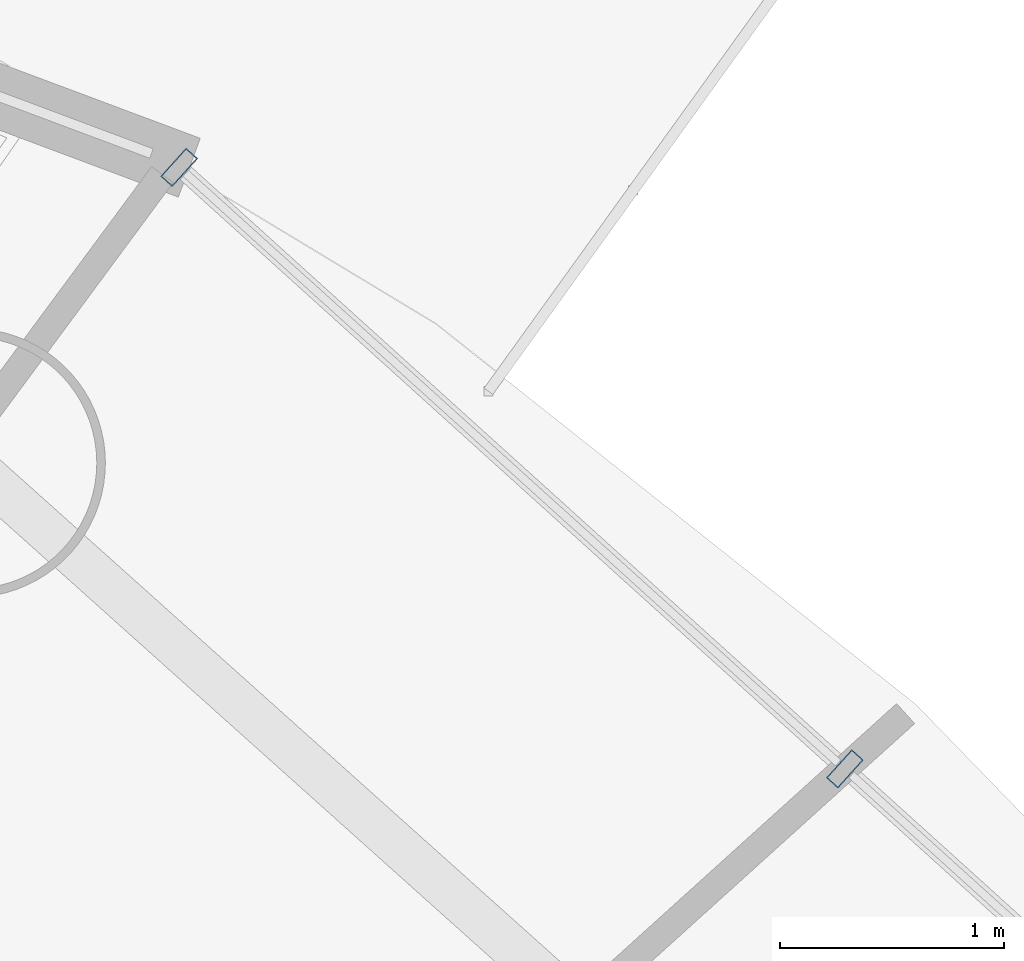
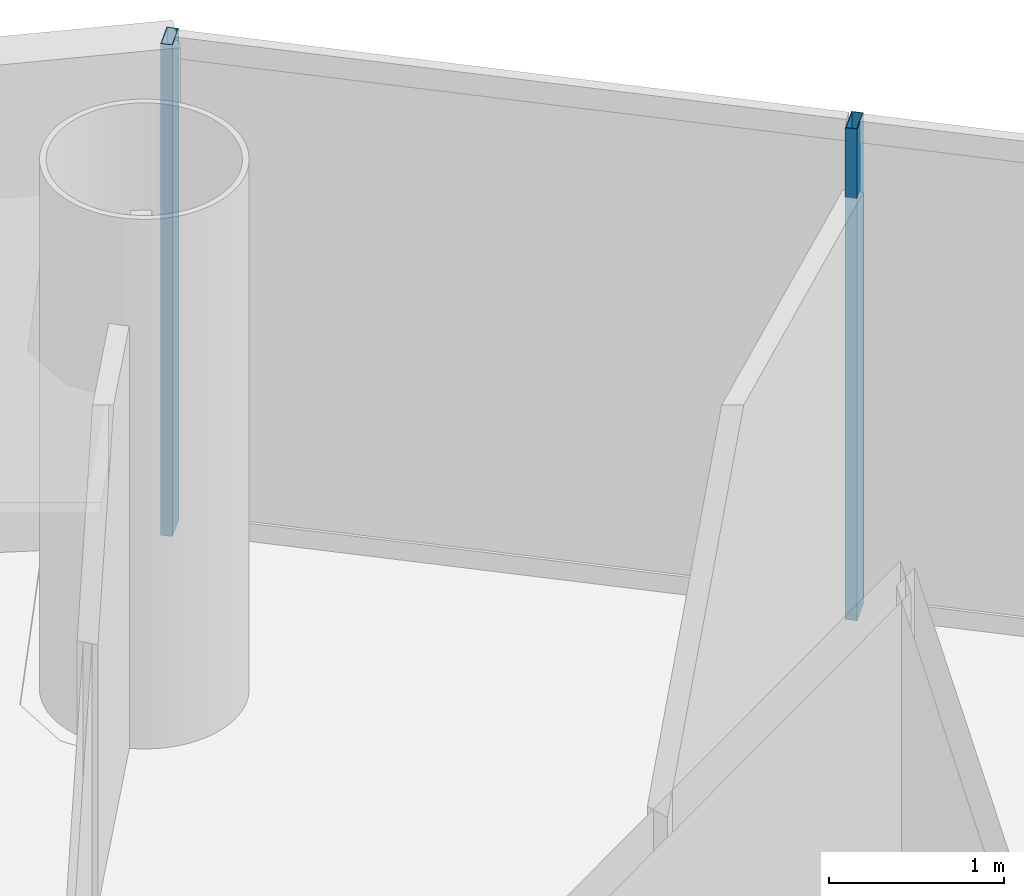
# One storey, part 18 of 26: 2 members, 1 element without a shape of its own.
"""IFC4 building model written with IfcOpenShell, lengths in metres."""

import ifcopenshell
import ifcopenshell.guid

model = None  # the IFC model being written
_history = None  # IfcOwnerHistory: only IFC2X3 demands one
_inside = {}  # id of a spatial element -> (the spatial element, [elements in it])
_under = {}  # id of a project, library or spatial element -> (it, [spatial elements below it])
_declared = {}  # id of a project -> (the project, [libraries it declares])
_typed = {}  # id of a type object -> (the type object, [elements of that type])
_made_of = {}  # id of a material, layer set ... -> (it, [elements and type objects made of it])


def new_model(schema):
    """Start an empty IFC model of exactly this schema.

    Asked for "IFC4X3", IfcOpenShell would pick the latest addendum, in which some entities
    have other attributes; the version numbers below select the first issue.
    IFC2X3 requires an IfcOwnerHistory on every rooted entity: one is made here for all.
    """
    global model, _history
    if schema == "IFC4X3":
        model = ifcopenshell.file(schema_version=(4, 3, 0, 0))
    else:
        model = ifcopenshell.file(schema=schema)
    _inside.clear()
    _under.clear()
    _declared.clear()
    _typed.clear()
    _made_of.clear()
    _history = None
    if model.schema == "IFC2X3":
        org = make("IfcOrganization", Name="unknown")
        user = make(
            "IfcPersonAndOrganization",
            ThePerson=make("IfcPerson", FamilyName="unknown"),
            TheOrganization=org,
        )
        app = make(
            "IfcApplication",
            ApplicationDeveloper=org,
            Version="unknown",
            ApplicationFullName="unknown",
            ApplicationIdentifier="unknown",
        )
        _history = make(
            "IfcOwnerHistory",
            OwningUser=user,
            OwningApplication=app,
            ChangeAction="ADDED",
            CreationDate=0,
        )
    return model


def make(cls, **values):
    """One entity of the class cls with the attributes given. An attribute that is None is left unset."""
    return model.create_entity(
        cls, **{name: value for name, value in values.items() if value is not None}
    )


def rooted(cls, **values):
    """An entity with a GlobalId (a new one), such as an element, a storey or a relation."""
    return make(cls, GlobalId=ifcopenshell.guid.new(), OwnerHistory=_history, **values)


def si_unit(unit_type, name, prefix=None):
    """IfcSIUnit, for example si_unit("LENGTHUNIT", "METRE", prefix="MILLI")."""
    return make("IfcSIUnit", UnitType=unit_type, Prefix=prefix, Name=name)


def assignment(units):
    """IfcUnitAssignment: the units of a project."""
    return None if units is None else make("IfcUnitAssignment", Units=units)


def point(xyz):
    """IfcCartesianPoint."""
    return None if xyz is None else make("IfcCartesianPoint", Coordinates=xyz)


def direction(xyz):
    """IfcDirection."""
    return None if xyz is None else make("IfcDirection", DirectionRatios=xyz)


def frame(location, z_axis=None, x_axis=None):
    """IfcAxis2Placement3D, a coordinate frame: its origin and axes. An axis left out is left unset."""
    return make(
        "IfcAxis2Placement3D",
        Location=point(location),
        Axis=direction(z_axis),
        RefDirection=direction(x_axis),
    )


def frame_2d(location, x_axis=None):
    """IfcAxis2Placement2D, a coordinate frame in the plane: its origin and x axis."""
    return make(
        "IfcAxis2Placement2D", Location=point(location), RefDirection=direction(x_axis)
    )


def origin():
    """The frame at (0, 0, 0) with its axes left unset."""
    return frame((0.0, 0.0, 0.0))


def origin_2d():
    """The frame at (0, 0) in the plane with its x axis left unset."""
    return frame_2d((0.0, 0.0))


def place(relative_to, where):
    """IfcLocalPlacement: puts the frame where relative to a parent placement (None: the world)."""
    return make(
        "IfcLocalPlacement", PlacementRelTo=relative_to, RelativePlacement=where
    )


def context(
    kind, dimensions, precision=None, world=None, true_north=None, identifier=None
):
    """IfcGeometricRepresentationContext, for example the 3D "Model" context."""
    return make(
        "IfcGeometricRepresentationContext",
        ContextIdentifier=identifier,
        ContextType=kind,
        CoordinateSpaceDimension=dimensions,
        Precision=precision,
        WorldCoordinateSystem=world,
        TrueNorth=true_north,
    )


def subcontext(parent, identifier, kind, view, scale=None):
    """IfcGeometricRepresentationSubContext, for example "Body" below "Model"."""
    return make(
        "IfcGeometricRepresentationSubContext",
        ContextIdentifier=identifier,
        ContextType=kind,
        ParentContext=parent,
        TargetScale=scale,
        TargetView=view,
    )


def project(units=None, contexts=None):
    """IfcProject with its units and contexts."""
    return rooted(
        "IfcProject",
        Name="project",
        RepresentationContexts=contexts,
        UnitsInContext=assignment(units),
    )


def spatial(cls, under=None, at=None, **own):
    """A site, building, storey or space (cls), placed at a placement, below another one or the project."""
    s = rooted(cls, ObjectPlacement=at, **own)
    if under is not None:
        _under.setdefault(under.id(), (under, []))[1].append(s)
    return s


def profile(cls, at=None, kind="AREA", **sizes):
    """A parametric profile (cls). Its sizes go by their IFC names, for example OverallWidth=200.0."""
    return make(cls, ProfileType=kind, Position=at, **sizes)


def hollow_rectangle(**sizes):
    """IfcRectangleHollowProfileDef."""
    return profile("IfcRectangleHollowProfileDef", **sizes)


def extrude(swept, where, along, depth):
    """IfcExtrudedAreaSolid: the profile swept, set in the frame where, extruded along a direction by depth."""
    return make(
        "IfcExtrudedAreaSolid",
        SweptArea=swept,
        Position=where,
        ExtrudedDirection=direction(along),
        Depth=depth,
    )


def shape(context_of_items, identifier, shape_type, items):
    """IfcShapeRepresentation: the items that make up one representation, for example the "Body"."""
    return make(
        "IfcShapeRepresentation",
        ContextOfItems=context_of_items,
        RepresentationIdentifier=identifier,
        RepresentationType=shape_type,
        Items=items,
    )


def source(mapping_origin, context_of_items, identifier, shape_type, items):
    """IfcRepresentationMap: a shape defined once, which mapped items show again and again."""
    return make(
        "IfcRepresentationMap",
        MappingOrigin=mapping_origin,
        MappedRepresentation=shape(context_of_items, identifier, shape_type, items),
    )


def transform(
    local_origin,
    x_axis=None,
    y_axis=None,
    z_axis=None,
    scale=None,
    scale2=None,
    scale3=None,
    uniform=True,
):
    """IfcCartesianTransformationOperator3D, or its non-uniform kind. x_axis, y_axis, z_axis: its Axis1, 2, 3."""
    if uniform:
        return make(
            "IfcCartesianTransformationOperator3D",
            Axis1=direction(x_axis),
            Axis2=direction(y_axis),
            LocalOrigin=point(local_origin),
            Scale=scale,
            Axis3=direction(z_axis),
        )
    return make(
        "IfcCartesianTransformationOperator3DnonUniform",
        Axis1=direction(x_axis),
        Axis2=direction(y_axis),
        LocalOrigin=point(local_origin),
        Scale=scale,
        Axis3=direction(z_axis),
        Scale2=scale2,
        Scale3=scale3,
    )


def mapped(mapping_source, mapping_target):
    """IfcMappedItem: shows the shape of a source again, moved by a transform."""
    return make(
        "IfcMappedItem", MappingSource=mapping_source, MappingTarget=mapping_target
    )


def material(Name=None, Category=None):
    """IfcMaterial."""
    return make("IfcMaterial", Name=Name, Category=Category)


def material_profile(
    of_material, cross_section, Name=None, Category=None, Priority=None
):
    """IfcMaterialProfile: a cross section and its material."""
    return make(
        "IfcMaterialProfile",
        Name=Name,
        Material=of_material,
        Profile=cross_section,
        Priority=Priority,
        Category=Category,
    )


def profile_set(profiles, Name=None, composite=None):
    """IfcMaterialProfileSet."""
    return make(
        "IfcMaterialProfileSet",
        Name=Name,
        MaterialProfiles=profiles,
        CompositeProfile=composite,
    )


def made_of(thing, what):
    """Note that an element or type object is made of a material, layer set ...; save() writes the relation."""
    if what is not None:
        _made_of.setdefault(what.id(), (what, []))[1].append(thing)
    return thing


def type_object(cls, material=None, **own):
    """A type object (cls), such as IfcWallType, which elements share."""
    return made_of(rooted(cls, **own), material)


def element(
    cls,
    number,
    at=None,
    inside=None,
    cuts=None,
    type_object=None,
    material=None,
    context=None,
    identifier="Body",
    shape_type=None,
    held_by="IfcProductDefinitionShape",
    body=None,
    shapes=None,
    **own,
):
    """One element of the class cls, such as IfcWall. Its Tag is "e" and its number.

    at: its placement. inside: the storey or other place that contains it. cuts: it is an
    opening in that element (IfcRelVoidsElement). A single representation is given by context,
    identifier, shape_type and body (its items); several are given by shapes. held_by: the class
    of the entity that holds the representations. save() writes the other relations.
    """
    e = rooted(cls, Tag="e%d" % number, ObjectPlacement=at, **own)
    if body is not None:
        shapes = [shape(context, identifier, shape_type, body)]
    if shapes is not None:
        e.Representation = make(held_by, Representations=shapes)
    if inside is not None:
        _inside.setdefault(inside.id(), (inside, []))[1].append(e)
    if cuts is not None:
        rooted(
            "IfcRelVoidsElement", RelatingBuildingElement=cuts, RelatedOpeningElement=e
        )
    if type_object is not None:
        _typed.setdefault(type_object.id(), (type_object, []))[1].append(e)
    return made_of(e, material)


def aggregate(whole, parts):
    """IfcRelAggregates: a whole, such as a stair, and the parts it consists of."""
    return rooted("IfcRelAggregates", RelatingObject=whole, RelatedObjects=parts)


def save(model, path):
    """Write the relations noted so far, then the file.

    IfcRelAggregates (storeys below a building ...), IfcRelContainedInSpatialStructure (elements
    in a storey), IfcRelDefinesByType, IfcRelAssociatesMaterial and IfcRelDeclares: one each for
    every whole, place, type object, material and project.
    """
    for whole, parts in _under.values():
        aggregate(whole, parts)
    for where, things in _inside.values():
        rooted(
            "IfcRelContainedInSpatialStructure",
            RelatedElements=things,
            RelatingStructure=where,
        )
    for kind, things in _typed.values():
        rooted("IfcRelDefinesByType", RelatedObjects=things, RelatingType=kind)
    for what, things in _made_of.values():
        rooted("IfcRelAssociatesMaterial", RelatedObjects=things, RelatingMaterial=what)
    for by, libraries in _declared.values():
        rooted("IfcRelDeclares", RelatingContext=by, RelatedDefinitions=libraries)
    model.write(path)


model = new_model("IFC4")

# Units and contexts
model_context = context("Model", 3, precision=1e-05, world=origin(), true_north=direction((-0.2419218956, 0.970295726276)))
body_context = subcontext(model_context, "Body", "Model", "MODEL_VIEW")
ifc_project = project(units=[si_unit("LENGTHUNIT", "METRE"), si_unit("AREAUNIT", "SQUARE_METRE"), si_unit("VOLUMEUNIT", "CUBIC_METRE"), si_unit("PLANEANGLEUNIT", "RADIAN"), si_unit("MASSUNIT", "GRAM", prefix="KILO")], contexts=[model_context])

# Site, building, storey
site_placement = place(None, origin())
site = spatial("IfcSite", under=ifc_project, at=site_placement, CompositionType="ELEMENT")
building_placement = place(site_placement, origin())
building = spatial("IfcBuilding", under=site, at=building_placement, Name="Cobrevalo Terracotta Tower", CompositionType="ELEMENT")
storey_placement = place(building_placement, frame((0.0, 0.0, 213.39990234375)))
storey = spatial("IfcBuildingStorey", under=building, at=storey_placement, Name="L56", CompositionType="ELEMENT", Elevation=213.39990234375)

# Curtain wall, members
ifc_material = material(Name="Anodized aluminium", Category="aluminium")
curtain_wall_type = type_object("IfcCurtainWallType", Name="Mid-tower high-wind unitised curtain wall CW-U2", PredefinedType="NOTDEFINED", material=ifc_material)
curtain_wall_placement = place(storey_placement, origin())
curtain_wall = element("IfcCurtainWall", 1, at=curtain_wall_placement, inside=storey, type_object=curtain_wall_type, Name="L56 curtain wall CW-L56-S02", PredefinedType="NOTDEFINED")
ifc_material_profile = material_profile(ifc_material, hollow_rectangle(XDim=0.070068359375, YDim=0.169921875, WallThickness=0.00439453125, at=origin_2d()), Name="CWM 70x170")
ifc_profile_set = profile_set([ifc_material_profile], Name="Anodized aluminium")
member_type = type_object("IfcMemberType", Name="Upper tower unitised mullion 70x170", PredefinedType="MULLION", material=ifc_profile_set)
shared_shape = source(origin(), body_context, "Body", "SweptSolid", [
    extrude(hollow_rectangle(XDim=0.070068359375, YDim=0.169921875, WallThickness=0.00439453125, at=origin_2d()), origin(), (0.0, 0.0, 1.0), 3.43505859375),
])
member_1_placement = place(storey_placement, frame((53.097900390625, 40.441650390625, 0.0), z_axis=(0.0, 0.0, 1.0), x_axis=(-0.741987542015, 0.670413668935, 0.0)))
member_1 = element("IfcMember", 2, at=member_1_placement, type_object=member_type, Name="CW-L56-S02 vertical mullion 02", PredefinedType="MULLION", context=body_context, shape_type="MappedRepresentation", body=[
    mapped(shared_shape, transform((0.0, 0.0, 0.0), scale=1.0)),
])
member_2_placement = place(storey_placement, frame((50.12451171875, 43.128173828125, 0.0), z_axis=(0.0, 0.0, 1.0), x_axis=(-0.741987542015, 0.670413668935, 0.0)))
member_2 = element("IfcMember", 3, at=member_2_placement, type_object=member_type, Name="CW-L56-S02 vertical mullion 03", PredefinedType="MULLION", context=body_context, shape_type="MappedRepresentation", body=[
    mapped(shared_shape, transform((0.0, 0.0, 0.0), scale=1.0)),
])
aggregate(curtain_wall, [member_1, member_2])

save(model, "model.ifc")
